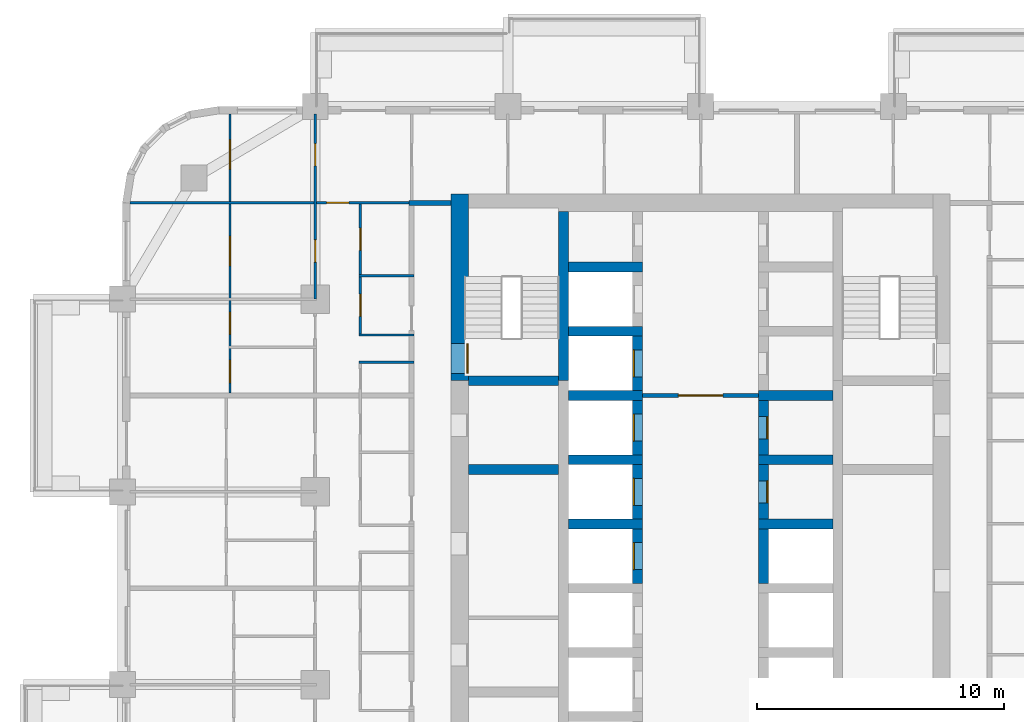
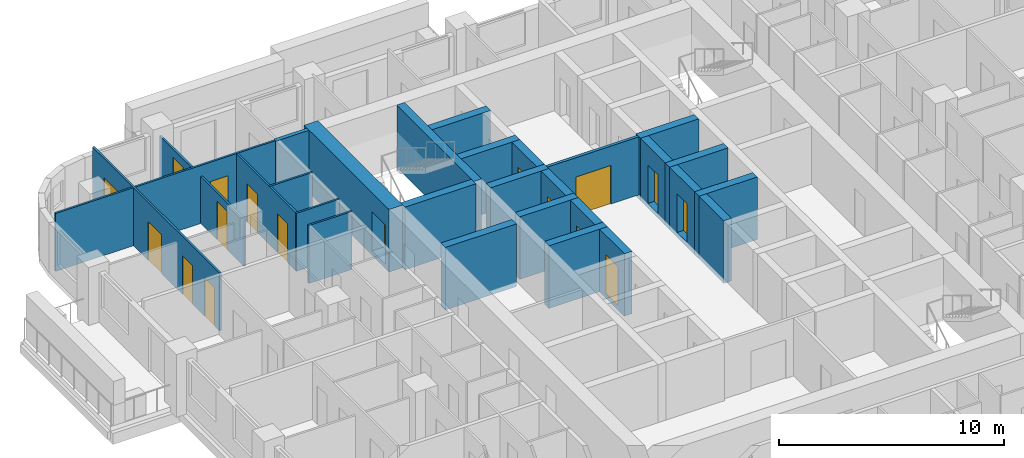
# One storey, part 10 of 17: 28 walls, 17 doors, 17 openings.
"""IFC4 building model written with IfcOpenShell, lengths in metres."""

from ifc_helpers import new_model, si_unit, direction, frame, frame_2d, origin, place, context, subcontext, project, spatial, rectangle, extrude, material, layer, layer_set, type_object, element, fill, save


model = new_model("IFC4")

# Units and contexts
model_context = context("Model", 3, precision=1e-05, world=origin(), true_north=direction((0.0, 1.0)))
body_context = subcontext(model_context, "Body", "Model", "MODEL_VIEW")
ifc_project = project(units=[si_unit("LENGTHUNIT", "METRE"), si_unit("AREAUNIT", "SQUARE_METRE"), si_unit("VOLUMEUNIT", "CUBIC_METRE"), si_unit("PLANEANGLEUNIT", "RADIAN"), si_unit("MASSUNIT", "GRAM", prefix="KILO")], contexts=[model_context])

# Site, building, storey
site_placement = place(None, origin())
site = spatial("IfcSite", under=ifc_project, at=site_placement, CompositionType="ELEMENT")
building_placement = place(site_placement, origin())
building = spatial("IfcBuilding", under=site, at=building_placement, Name="Ludao Terraces", CompositionType="ELEMENT")
storey_placement = place(building_placement, frame((0.0, 0.0, 19.5)))
storey = spatial("IfcBuildingStorey", under=building, at=storey_placement, Name="L04", CompositionType="ELEMENT", Elevation=19.5)

# Wall, opening, door
ifc_material_1 = material(Name="Concrete C70", Category="concrete")
ifc_layer_1 = layer(ifc_material_1, 0.699951171875)
ifc_layer_set_1 = layer_set([ifc_layer_1], Name="Core wall 700 C70")
wall_type_1 = type_object("IfcWallType", Name="Core wall 700 C70", PredefinedType="SOLIDWALL", material=ifc_layer_set_1)
wall_1_placement = place(storey_placement, frame((75.25, 77.300048828125, -0.25), z_axis=(0.0, 0.0, 1.0), x_axis=(0.0, 1.0, 0.0)))
wall_1 = element("IfcWall", 1, at=wall_1_placement, inside=storey, type_object=wall_type_1, Name="Core wall L04 outer-W-S1", PredefinedType="SOLIDWALL", context=body_context, shape_type="SweptSolid", body=[
    extrude(rectangle(XDim=7.550048828125, YDim=0.699951171875, at=frame_2d((3.77490234375, 0.0))), origin(), (0.0, 0.0, 1.0), 3.39990234375),
])
opening_1_placement = place(wall_1_placement, frame((0.300048828125, 0.0, 0.25)))
opening_1 = element("IfcOpeningElement", 2, at=opening_1_placement, cuts=wall_1, Name="Opening R01-127", PredefinedType="OPENING", context=body_context, shape_type="SweptSolid", body=[
    extrude(rectangle(XDim=1.199951171875, YDim=2.10009765625, at=frame_2d((0.60009765625, 1.050048828125))), frame((0.0, 0.35986328125, 0.0), z_axis=(0.0, -1.0, 0.0), x_axis=(1.0, 0.0, 0.0)), (0.0, 0.0, 1.0), 0.719970703125),
])
ifc_material_2 = material(Name="Steel Q235", Category="steel")
door_type_1 = type_object("IfcDoorType", Name="INT Stair door 1200", OperationType="DOUBLE_DOOR_SINGLE_SWING", PredefinedType="DOOR", material=ifc_material_2)
door_1_placement = place(opening_1_placement, origin())
door_1 = element("IfcDoor", 3, at=door_1_placement, inside=storey, type_object=door_type_1, Name="DOOR 127", OperationType="DOUBLE_DOOR_SINGLE_SWING", OverallHeight=2.10009765625, OverallWidth=1.199951171875, PredefinedType="DOOR", context=body_context, shape_type="SweptSolid", body=[
    extrude(rectangle(XDim=1.199951171875, YDim=2.10009765625, at=frame_2d((0.60009765625, 1.050048828125))), frame((0.0, -0.28515625, 0.0), z_axis=(0.0, -1.0, 0.0), x_axis=(1.0, 0.0, 0.0)), (0.0, 0.0, 1.0), 0.050048828125),
])
fill(opening_1, door_1)

ifc_material_3 = material(Name="Fire-rated gypsum plasterboard", Category="gypsum")
ifc_layer_2 = layer(ifc_material_3, 0.012451171875, Category="gypsum")
ifc_material_4 = material(Name="Mineral wool")
ifc_layer_3 = layer(ifc_material_4, 0.10009765625, Name="insulation")
ifc_layer_4 = layer(ifc_material_2, 0.02490234375, Name="stud")
ifc_layer_5 = layer(ifc_material_3, 0.012451171875, Category="gypsum")
ifc_layer_set_2 = layer_set([ifc_layer_2, ifc_layer_3, ifc_layer_4, ifc_layer_5], Name="INT Core partition 150")
wall_type_2 = type_object("IfcWallType", Name="INT Core partition 150", PredefinedType="PARTITIONING", material=ifc_layer_set_2)
wall_2_placement = place(storey_placement, frame((82.650146484375, 76.699951171875, 0.0), z_axis=(0.0, 0.0, 1.0), x_axis=(1.0, 0.0, 0.0)))
wall_2 = element("IfcWall", 4, at=wall_2_placement, inside=storey, type_object=wall_type_2, Name="PW-L04-PW058", PredefinedType="PARTITIONING", context=body_context, shape_type="SweptSolid", body=[
    extrude(rectangle(XDim=4.699951171875, YDim=0.14990234375, at=frame_2d((2.35009765625, 0.0))), origin(), (0.0, 0.0, 1.0), 3.14990234375),
])
opening_2_placement = place(wall_2_placement, frame((1.449951171875, 0.0, 0.0)))
opening_2 = element("IfcOpeningElement", 5, at=opening_2_placement, cuts=wall_2, Name="Opening R01-121", PredefinedType="OPENING", context=body_context, shape_type="SweptSolid", body=[
    extrude(rectangle(XDim=1.800048828125, YDim=2.10009765625, at=frame_2d((0.89990234375, 1.050048828125))), frame((0.0, 0.0849609375, 0.0), z_axis=(0.0, -1.0, 0.0), x_axis=(1.0, 0.0, 0.0)), (0.0, 0.0, 1.0), 0.169921875),
])
door_type_2 = type_object("IfcDoorType", Name="INT Fire lobby door 1800", OperationType="DOUBLE_DOOR_SINGLE_SWING", PredefinedType="DOOR", material=ifc_material_2)
door_2_placement = place(opening_2_placement, origin())
door_2 = element("IfcDoor", 6, at=door_2_placement, inside=storey, type_object=door_type_2, Name="DOOR 121", OperationType="DOUBLE_DOOR_SINGLE_SWING", OverallHeight=2.10009765625, OverallWidth=1.800048828125, PredefinedType="DOOR", context=body_context, shape_type="SweptSolid", body=[
    extrude(rectangle(XDim=1.800048828125, YDim=2.10009765625, at=frame_2d((0.89990234375, 1.050048828125))), frame((0.0, 0.02490234375, 0.0), z_axis=(0.0, -1.0, 0.0), x_axis=(1.0, 0.0, 0.0)), (0.0, 0.0, 1.0), 0.050048828125),
])
fill(opening_2, door_2)

# Walls
ifc_material_5 = material(Name="Autoclaved aerated concrete block B06 A3.5", Category="concrete")
ifc_layer_6 = layer(ifc_material_5, 0.199951171875)
ifc_layer_set_3 = layer_set([ifc_layer_6], Name="INT Entrance wall 200")
wall_type_3 = type_object("IfcWallType", Name="INT Entrance wall 200", PredefinedType="PARTITIONING", material=ifc_layer_set_3)
wall_3_placement = place(storey_placement, frame((73.2001953125, 84.5, 0.0), z_axis=(0.0, 0.0, 1.0), x_axis=(1.0, 0.0, 0.0)))
element("IfcWall", 7, at=wall_3_placement, inside=storey, type_object=wall_type_3, Name="PW-L04-PW070", PredefinedType="PARTITIONING", context=body_context, shape_type="SweptSolid", body=[
    extrude(rectangle(XDim=1.699951171875, YDim=0.199951171875, at=frame_2d((0.85009765625, 0.0))), origin(), (0.0, 0.0, 1.0), 3.14990234375),
])
ifc_material_6 = material(Name="Gypsum plasterboard", Category="gypsum")
ifc_layer_7 = layer(ifc_material_6, 0.012451171875, Category="gypsum")
ifc_layer_8 = layer(ifc_material_4, 0.06005859375, Name="insulation")
ifc_layer_9 = layer(ifc_material_2, 0.014892578125, Name="stud")
ifc_layer_10 = layer(ifc_material_6, 0.012451171875, Category="gypsum")
ifc_layer_set_4 = layer_set([ifc_layer_7, ifc_layer_8, ifc_layer_9, ifc_layer_10], Name="INT Partition 100")
wall_type_4 = type_object("IfcWallType", Name="INT Partition 100", PredefinedType="PARTITIONING", material=ifc_layer_set_4)
for number, where, z_axis, x_axis, name in (
    (8, (71.18017578125, 78.050048828125, 0.0), (0.0, 0.0, 1.0), (1.0, 0.0, 0.0), "PW-L04-PW060"),
    (9, (71.18017578125, 79.14990234375, 0.0), (0.0, 0.0, 1.0), (1.0, 0.0, 0.0), "PW-L04-PW063"),
    (10, (71.18017578125, 81.550048828125, 0.0), (0.0, 0.0, 1.0), (1.0, 0.0, 0.0), "PW-L04-PW067"),
):
    element("IfcWall", number, at=place(storey_placement, frame(where, z_axis=z_axis, x_axis=x_axis)), inside=storey, type_object=wall_type_4, Name=name, PredefinedType="PARTITIONING", context=body_context, shape_type="SweptSolid", body=[
        extrude(rectangle(XDim=2.219970703125, YDim=0.10009765625, at=frame_2d((1.10986328125, 0.0))), origin(), (0.0, 0.0, 1.0), 3.14990234375),
    ])

# Wall, opening, door
wall_4_placement = place(storey_placement, frame((61.900146484375, 84.5, 0.0), z_axis=(0.0, 0.0, 1.0), x_axis=(1.0, 0.0, 0.0)))
wall_4 = element("IfcWall", 11, at=wall_4_placement, inside=storey, type_object=wall_type_4, Name="PW-L04-PW069", PredefinedType="PARTITIONING", context=body_context, shape_type="SweptSolid", body=[
    extrude(rectangle(XDim=11.5, YDim=0.10009765625, at=frame_2d((5.75, 0.0))), origin(), (0.0, 0.0, 1.0), 3.14990234375),
])
opening_3_placement = place(wall_4_placement, frame((7.965087890625, 0.0, 0.0)))
opening_3 = element("IfcOpeningElement", 12, at=opening_3_placement, cuts=wall_4, Name="Opening R01-147", PredefinedType="OPENING", context=body_context, shape_type="SweptSolid", body=[
    extrude(rectangle(XDim=0.89990234375, YDim=2.10009765625, at=frame_2d((0.449951171875, 1.050048828125))), frame((0.0, 0.06005859375, 0.0), z_axis=(0.0, -1.0, 0.0), x_axis=(1.0, 0.0, 0.0)), (0.0, 0.0, 1.0), 0.1201171875),
])
ifc_material_7 = material(Name="Timber door leaf", Category="wood")
door_type_3 = type_object("IfcDoorType", Name="INT Room door 900", OperationType="SINGLE_SWING_LEFT", PredefinedType="DOOR", material=ifc_material_7)
door_3_placement = place(opening_3_placement, origin())
door_3 = element("IfcDoor", 13, at=door_3_placement, inside=storey, type_object=door_type_3, Name="DOOR 147", OperationType="SINGLE_SWING_RIGHT", OverallHeight=2.10009765625, OverallWidth=0.89990234375, PredefinedType="DOOR", context=body_context, shape_type="SweptSolid", body=[
    extrude(rectangle(XDim=0.89990234375, YDim=2.10009765625, at=frame_2d((0.449951171875, 1.050048828125))), frame((0.0, 0.02490234375, 0.0), z_axis=(0.0, -1.0, 0.0), x_axis=(1.0, 0.0, 0.0)), (0.0, 0.0, 1.0), 0.050048828125),
])
fill(opening_3, door_3)

# Wall, openings, doors
wall_5_placement = place(storey_placement, frame((65.949951171875, 76.800048828125, 0.0), z_axis=(0.0, 0.0, 1.0), x_axis=(0.0, 1.0, 0.0)))
wall_5 = element("IfcWall", 14, at=wall_5_placement, inside=storey, type_object=wall_type_4, Name="PW-L04-PW075", PredefinedType="PARTITIONING", context=body_context, shape_type="SweptSolid", body=[
    extrude(rectangle(XDim=11.300048828125, YDim=0.10009765625, at=frame_2d((5.64990234375, 0.0))), origin(), (0.0, 0.0, 1.0), 3.14990234375),
])
opening_4_placement = place(wall_5_placement, frame((0.425048828125, 0.0, 0.0)))
opening_4 = element("IfcOpeningElement", 15, at=opening_4_placement, cuts=wall_5, Name="Opening R01-123", PredefinedType="OPENING", context=body_context, shape_type="SweptSolid", body=[
    extrude(rectangle(XDim=0.89990234375, YDim=2.10009765625, at=frame_2d((0.449951171875, 1.050048828125))), frame((0.0, 0.06005859375, 0.0), z_axis=(0.0, -1.0, 0.0), x_axis=(1.0, 0.0, 0.0)), (0.0, 0.0, 1.0), 0.1201171875),
])
opening_5_placement = place(wall_5_placement, frame((2.375, 0.0, 0.0)))
opening_5 = element("IfcOpeningElement", 16, at=opening_5_placement, cuts=wall_5, Name="Opening R01-132", PredefinedType="OPENING", context=body_context, shape_type="SweptSolid", body=[
    extrude(rectangle(XDim=0.89990234375, YDim=2.10009765625, at=frame_2d((0.449951171875, 1.050048828125))), frame((0.0, 0.06005859375, 0.0), z_axis=(0.0, -1.0, 0.0), x_axis=(1.0, 0.0, 0.0)), (0.0, 0.0, 1.0), 0.1201171875),
])
opening_6_placement = place(wall_5_placement, frame((5.14990234375, 0.0, 0.0)))
opening_6 = element("IfcOpeningElement", 17, at=opening_6_placement, cuts=wall_5, Name="Opening R01-138", PredefinedType="OPENING", context=body_context, shape_type="SweptSolid", body=[
    extrude(rectangle(XDim=1.199951171875, YDim=2.10009765625, at=frame_2d((0.60009765625, 1.050048828125))), frame((0.0, 0.06005859375, 0.0), z_axis=(0.0, -1.0, 0.0), x_axis=(1.0, 0.0, 0.0)), (0.0, 0.0, 1.0), 0.1201171875),
])
opening_7_placement = place(wall_5_placement, frame((9.050048828125, 0.0, 0.0)))
opening_7 = element("IfcOpeningElement", 18, at=opening_7_placement, cuts=wall_5, Name="Opening R01-149", PredefinedType="OPENING", context=body_context, shape_type="SweptSolid", body=[
    extrude(rectangle(XDim=1.199951171875, YDim=2.10009765625, at=frame_2d((0.60009765625, 1.050048828125))), frame((0.0, 0.06005859375, 0.0), z_axis=(0.0, -1.0, 0.0), x_axis=(1.0, 0.0, 0.0)), (0.0, 0.0, 1.0), 0.1201171875),
])
door_type_4 = type_object("IfcDoorType", Name="INT Bathroom door 900", OperationType="SINGLE_SWING_LEFT", PredefinedType="DOOR", material=ifc_material_7)
door_4_placement = place(opening_4_placement, origin())
door_4 = element("IfcDoor", 19, at=door_4_placement, inside=storey, type_object=door_type_4, Name="DOOR 123", OperationType="SINGLE_SWING_RIGHT", OverallHeight=2.10009765625, OverallWidth=0.89990234375, PredefinedType="DOOR", context=body_context, shape_type="SweptSolid", body=[
    extrude(rectangle(XDim=0.89990234375, YDim=2.10009765625, at=frame_2d((0.449951171875, 1.050048828125))), frame((0.0, 0.02490234375, 0.0), z_axis=(0.0, -1.0, 0.0), x_axis=(1.0, 0.0, 0.0)), (0.0, 0.0, 1.0), 0.050048828125),
])
fill(opening_4, door_4)
door_type_5 = type_object("IfcDoorType", Name="INT Double door 1200", OperationType="DOUBLE_DOOR_SINGLE_SWING", PredefinedType="DOOR", material=ifc_material_7)
door_5_placement = place(opening_6_placement, origin())
door_5 = element("IfcDoor", 20, at=door_5_placement, inside=storey, type_object=door_type_5, Name="DOOR 138", OperationType="DOUBLE_DOOR_SINGLE_SWING", OverallHeight=2.10009765625, OverallWidth=1.199951171875, PredefinedType="DOOR", context=body_context, shape_type="SweptSolid", body=[
    extrude(rectangle(XDim=1.199951171875, YDim=2.10009765625, at=frame_2d((0.60009765625, 1.050048828125))), frame((0.0, 0.02490234375, 0.0), z_axis=(0.0, -1.0, 0.0), x_axis=(1.0, 0.0, 0.0)), (0.0, 0.0, 1.0), 0.050048828125),
])
fill(opening_6, door_5)
door_6_placement = place(opening_7_placement, origin())
door_6 = element("IfcDoor", 21, at=door_6_placement, inside=storey, type_object=door_type_5, Name="DOOR 149", OperationType="DOUBLE_DOOR_SINGLE_SWING", OverallHeight=2.10009765625, OverallWidth=1.199951171875, PredefinedType="DOOR", context=body_context, shape_type="SweptSolid", body=[
    extrude(rectangle(XDim=1.199951171875, YDim=2.10009765625, at=frame_2d((0.60009765625, 1.050048828125))), frame((0.0, 0.02490234375, 0.0), z_axis=(0.0, -1.0, 0.0), x_axis=(1.0, 0.0, 0.0)), (0.0, 0.0, 1.0), 0.050048828125),
])
fill(opening_7, door_6)
door_7_placement = place(opening_5_placement, origin())
door_7 = element("IfcDoor", 22, at=door_7_placement, inside=storey, type_object=door_type_3, Name="DOOR 132", OperationType="SINGLE_SWING_RIGHT", OverallHeight=2.10009765625, OverallWidth=0.89990234375, PredefinedType="DOOR", context=body_context, shape_type="SweptSolid", body=[
    extrude(rectangle(XDim=0.89990234375, YDim=2.10009765625, at=frame_2d((0.449951171875, 1.050048828125))), frame((0.0, 0.02490234375, 0.0), z_axis=(0.0, -1.0, 0.0), x_axis=(1.0, 0.0, 0.0)), (0.0, 0.0, 1.0), 0.050048828125),
])
fill(opening_5, door_7)

wall_6_placement = place(storey_placement, frame((69.39990234375, 80.60009765625, 0.0), z_axis=(0.0, 0.0, 1.0), x_axis=(0.0, 1.0, 0.0)))
wall_6 = element("IfcWall", 23, at=wall_6_placement, inside=storey, type_object=wall_type_4, Name="PW-L04-PW077-3", PredefinedType="PARTITIONING", context=body_context, shape_type="SweptSolid", body=[
    extrude(rectangle(XDim=7.5, YDim=0.10009765625, at=frame_2d((3.75, 0.0))), origin(), (0.0, 0.0, 1.0), 2.550048828125),
])
opening_8_placement = place(wall_6_placement, frame((1.5, 0.0, 0.0)))
opening_8 = element("IfcOpeningElement", 24, at=opening_8_placement, cuts=wall_6, Name="Opening R01-139", PredefinedType="OPENING", context=body_context, shape_type="SweptSolid", body=[
    extrude(rectangle(XDim=0.89990234375, YDim=2.10009765625, at=frame_2d((0.449951171875, 1.050048828125))), frame((0.0, 0.06005859375, 0.0), z_axis=(0.0, -1.0, 0.0), x_axis=(1.0, 0.0, 0.0)), (0.0, 0.0, 1.0), 0.1201171875),
])
opening_9_placement = place(wall_6_placement, frame((5.39990234375, 0.0, 0.0)))
opening_9 = element("IfcOpeningElement", 25, at=opening_9_placement, cuts=wall_6, Name="Opening R01-150", PredefinedType="OPENING", context=body_context, shape_type="SweptSolid", body=[
    extrude(rectangle(XDim=0.89990234375, YDim=2.10009765625, at=frame_2d((0.449951171875, 1.050048828125))), frame((0.0, 0.06005859375, 0.0), z_axis=(0.0, -1.0, 0.0), x_axis=(1.0, 0.0, 0.0)), (0.0, 0.0, 1.0), 0.1201171875),
])
door_8_placement = place(opening_8_placement, origin())
door_8 = element("IfcDoor", 26, at=door_8_placement, inside=storey, type_object=door_type_3, Name="DOOR 139", OperationType="SINGLE_SWING_LEFT", OverallHeight=2.10009765625, OverallWidth=0.89990234375, PredefinedType="DOOR", context=body_context, shape_type="SweptSolid", body=[
    extrude(rectangle(XDim=0.89990234375, YDim=2.10009765625, at=frame_2d((0.449951171875, 1.050048828125))), frame((0.0, 0.02490234375, 0.0), z_axis=(0.0, -1.0, 0.0), x_axis=(1.0, 0.0, 0.0)), (0.0, 0.0, 1.0), 0.050048828125),
])
fill(opening_8, door_8)
door_9_placement = place(opening_9_placement, origin())
door_9 = element("IfcDoor", 27, at=door_9_placement, inside=storey, type_object=door_type_3, Name="DOOR 150", OperationType="SINGLE_SWING_RIGHT", OverallHeight=2.10009765625, OverallWidth=0.89990234375, PredefinedType="DOOR", context=body_context, shape_type="SweptSolid", body=[
    extrude(rectangle(XDim=0.89990234375, YDim=2.10009765625, at=frame_2d((0.449951171875, 1.050048828125))), frame((0.0, 0.02490234375, 0.0), z_axis=(0.0, -1.0, 0.0), x_axis=(1.0, 0.0, 0.0)), (0.0, 0.0, 1.0), 0.050048828125),
])
fill(opening_9, door_9)

wall_7_placement = place(storey_placement, frame((71.22998046875, 79.2001953125, 0.0), z_axis=(0.0, 0.0, 1.0), x_axis=(0.0, 1.0, 0.0)))
wall_7 = element("IfcWall", 28, at=wall_7_placement, inside=storey, type_object=wall_type_4, Name="PW-L04-PW082", PredefinedType="PARTITIONING", context=body_context, shape_type="SweptSolid", body=[
    extrude(rectangle(XDim=5.25, YDim=0.10009765625, at=frame_2d((2.625, 0.0))), origin(), (0.0, 0.0, 1.0), 3.14990234375),
])
opening_10_placement = place(wall_7_placement, frame((0.699951171875, 0.0, 0.0)))
opening_10 = element("IfcOpeningElement", 29, at=opening_10_placement, cuts=wall_7, Name="Opening R01-135", PredefinedType="OPENING", context=body_context, shape_type="SweptSolid", body=[
    extrude(rectangle(XDim=0.89990234375, YDim=2.10009765625, at=frame_2d((0.449951171875, 1.050048828125))), frame((0.0, 0.06005859375, 0.0), z_axis=(0.0, -1.0, 0.0), x_axis=(1.0, 0.0, 0.0)), (0.0, 0.0, 1.0), 0.1201171875),
])
opening_11_placement = place(wall_7_placement, frame((3.375, 0.0, 0.0)))
opening_11 = element("IfcOpeningElement", 30, at=opening_11_placement, cuts=wall_7, Name="Opening R01-143", PredefinedType="OPENING", context=body_context, shape_type="SweptSolid", body=[
    extrude(rectangle(XDim=0.89990234375, YDim=2.10009765625, at=frame_2d((0.449951171875, 1.050048828125))), frame((0.0, 0.06005859375, 0.0), z_axis=(0.0, -1.0, 0.0), x_axis=(1.0, 0.0, 0.0)), (0.0, 0.0, 1.0), 0.1201171875),
])
door_10_placement = place(opening_10_placement, origin())
door_10 = element("IfcDoor", 31, at=door_10_placement, inside=storey, type_object=door_type_4, Name="DOOR 135", OperationType="SINGLE_SWING_RIGHT", OverallHeight=2.10009765625, OverallWidth=0.89990234375, PredefinedType="DOOR", context=body_context, shape_type="SweptSolid", body=[
    extrude(rectangle(XDim=0.89990234375, YDim=2.10009765625, at=frame_2d((0.449951171875, 1.050048828125))), frame((0.0, 0.02490234375, 0.0), z_axis=(0.0, -1.0, 0.0), x_axis=(1.0, 0.0, 0.0)), (0.0, 0.0, 1.0), 0.050048828125),
])
fill(opening_10, door_10)
door_11_placement = place(opening_11_placement, origin())
door_11 = element("IfcDoor", 32, at=door_11_placement, inside=storey, type_object=door_type_3, Name="DOOR 143", OperationType="SINGLE_SWING_RIGHT", OverallHeight=2.10009765625, OverallWidth=0.89990234375, PredefinedType="DOOR", context=body_context, shape_type="SweptSolid", body=[
    extrude(rectangle(XDim=0.89990234375, YDim=2.10009765625, at=frame_2d((0.449951171875, 1.050048828125))), frame((0.0, 0.02490234375, 0.0), z_axis=(0.0, -1.0, 0.0), x_axis=(1.0, 0.0, 0.0)), (0.0, 0.0, 1.0), 0.050048828125),
])
fill(opening_11, door_11)

# Wall
ifc_material_8 = material(Name="Concrete C60", Category="concrete")
ifc_layer_11 = layer(ifc_material_8, 0.39990234375)
ifc_layer_set_5 = layer_set([ifc_layer_11], Name="Shaft wall 400 C60")
wall_type_5 = type_object("IfcWallType", Name="Shaft wall 400 C60", PredefinedType="SOLIDWALL", material=ifc_layer_set_5)
wall_8_placement = place(storey_placement, frame((79.449951171875, 77.300048828125, -0.25), z_axis=(0.0, 0.0, 1.0), x_axis=(0.0, 1.0, 0.0)))
element("IfcWall", 33, at=wall_8_placement, inside=storey, type_object=wall_type_5, Name="Core wall L04 back-W-S1", PredefinedType="SOLIDWALL", context=body_context, shape_type="SweptSolid", body=[
    extrude(rectangle(XDim=6.849853515625, YDim=0.39990234375, at=frame_2d((3.4248046875, 0.0))), origin(), (0.0, 0.0, 1.0), 3.39990234375),
])

# Wall, opening, door
wall_9_placement = place(storey_placement, frame((82.449951171875, 69.10009765625, -0.25), z_axis=(0.0, 0.0, 1.0), x_axis=(0.0, 1.0, 0.0)))
wall_9 = element("IfcWall", 34, at=wall_9_placement, inside=storey, type_object=wall_type_5, Name="Core wall L04 front-W4", PredefinedType="SOLIDWALL", context=body_context, shape_type="SweptSolid", body=[
    extrude(rectangle(XDim=2.199951171875, YDim=0.39990234375, at=frame_2d((1.10009765625, 0.0))), origin(), (0.0, 0.0, 1.0), 3.39990234375),
])
opening_12_placement = place(wall_9_placement, frame((0.550048828125, 0.0, 0.25)))
opening_12 = element("IfcOpeningElement", 35, at=opening_12_placement, cuts=wall_9, Name="Opening LD-LA4", PredefinedType="OPENING", context=body_context, shape_type="SweptSolid", body=[
    extrude(rectangle(XDim=1.10009765625, YDim=2.10009765625, at=frame_2d((0.550048828125, 1.050048828125))), frame((0.0, 0.2099609375, 0.0), z_axis=(0.0, -1.0, 0.0), x_axis=(1.0, 0.0, 0.0)), (0.0, 0.0, 1.0), 0.419921875),
])
ifc_material_9 = material(Name="Stainless steel 304", Category="steel")
door_type_6 = type_object("IfcDoorType", Name="INT Lift landing door 1100", OperationType="SLIDING_TO_LEFT", PredefinedType="DOOR", material=ifc_material_9)
door_12_placement = place(opening_12_placement, origin())
door_12 = element("IfcDoor", 36, at=door_12_placement, inside=storey, type_object=door_type_6, Name="LANDING DOOR LA4 L04", OperationType="SLIDING_TO_LEFT", OverallHeight=2.10009765625, OverallWidth=1.10009765625, PredefinedType="DOOR", context=body_context, shape_type="SweptSolid", body=[
    extrude(rectangle(XDim=1.10009765625, YDim=2.10009765625, at=frame_2d((0.550048828125, 1.050048828125))), frame((0.0, 0.18505859375, 0.0), z_axis=(0.0, -1.0, 0.0), x_axis=(1.0, 0.0, 0.0)), (0.0, 0.0, 1.0), 0.050048828125),
])
fill(opening_12, door_12)

# Wall
wall_10_placement = place(storey_placement, frame((79.64990234375, 71.5, -0.25), z_axis=(0.0, 0.0, 1.0), x_axis=(1.0, 0.0, 0.0)))
element("IfcWall", 37, at=wall_10_placement, inside=storey, type_object=wall_type_5, Name="Core wall L04 div-W5", PredefinedType="SOLIDWALL", context=body_context, shape_type="SweptSolid", body=[
    extrude(rectangle(XDim=3.0, YDim=0.39990234375, at=frame_2d((1.5, 0.0))), origin(), (0.0, 0.0, 1.0), 3.39990234375),
])

# Wall, opening, door
wall_11_placement = place(storey_placement, frame((82.449951171875, 71.699951171875, -0.25), z_axis=(0.0, 0.0, 1.0), x_axis=(0.0, 1.0, 0.0)))
wall_11 = element("IfcWall", 38, at=wall_11_placement, inside=storey, type_object=wall_type_5, Name="Core wall L04 front-W5", PredefinedType="SOLIDWALL", context=body_context, shape_type="SweptSolid", body=[
    extrude(rectangle(XDim=2.199951171875, YDim=0.39990234375, at=frame_2d((1.10009765625, 0.0))), origin(), (0.0, 0.0, 1.0), 3.39990234375),
])
opening_13_placement = place(wall_11_placement, frame((0.550048828125, 0.0, 0.25)))
opening_13 = element("IfcOpeningElement", 39, at=opening_13_placement, cuts=wall_11, Name="Opening LD-LA5", PredefinedType="OPENING", context=body_context, shape_type="SweptSolid", body=[
    extrude(rectangle(XDim=1.10009765625, YDim=2.10009765625, at=frame_2d((0.550048828125, 1.050048828125))), frame((0.0, 0.2099609375, 0.0), z_axis=(0.0, -1.0, 0.0), x_axis=(1.0, 0.0, 0.0)), (0.0, 0.0, 1.0), 0.419921875),
])
door_13_placement = place(opening_13_placement, origin())
door_13 = element("IfcDoor", 40, at=door_13_placement, inside=storey, type_object=door_type_6, Name="LANDING DOOR LA5 L04", OperationType="SLIDING_TO_LEFT", OverallHeight=2.10009765625, OverallWidth=1.10009765625, PredefinedType="DOOR", context=body_context, shape_type="SweptSolid", body=[
    extrude(rectangle(XDim=1.10009765625, YDim=2.10009765625, at=frame_2d((0.550048828125, 1.050048828125))), frame((0.0, 0.18505859375, 0.0), z_axis=(0.0, -1.0, 0.0), x_axis=(1.0, 0.0, 0.0)), (0.0, 0.0, 1.0), 0.050048828125),
])
fill(opening_13, door_13)

# Wall
wall_12_placement = place(storey_placement, frame((79.64990234375, 74.10009765625, -0.25), z_axis=(0.0, 0.0, 1.0), x_axis=(1.0, 0.0, 0.0)))
element("IfcWall", 41, at=wall_12_placement, inside=storey, type_object=wall_type_5, Name="Core wall L04 div-W6", PredefinedType="SOLIDWALL", context=body_context, shape_type="SweptSolid", body=[
    extrude(rectangle(XDim=3.0, YDim=0.39990234375, at=frame_2d((1.5, 0.0))), origin(), (0.0, 0.0, 1.0), 3.39990234375),
])

# Wall, opening, door
wall_13_placement = place(storey_placement, frame((82.449951171875, 74.300048828125, -0.25), z_axis=(0.0, 0.0, 1.0), x_axis=(0.0, 1.0, 0.0)))
wall_13 = element("IfcWall", 42, at=wall_13_placement, inside=storey, type_object=wall_type_5, Name="Core wall L04 front-W6", PredefinedType="SOLIDWALL", context=body_context, shape_type="SweptSolid", body=[
    extrude(rectangle(XDim=2.199951171875, YDim=0.39990234375, at=frame_2d((1.10009765625, 0.0))), origin(), (0.0, 0.0, 1.0), 3.39990234375),
])
opening_14_placement = place(wall_13_placement, frame((0.550048828125, 0.0, 0.25)))
opening_14 = element("IfcOpeningElement", 43, at=opening_14_placement, cuts=wall_13, Name="Opening LD-LA6", PredefinedType="OPENING", context=body_context, shape_type="SweptSolid", body=[
    extrude(rectangle(XDim=1.10009765625, YDim=2.10009765625, at=frame_2d((0.550048828125, 1.050048828125))), frame((0.0, 0.2099609375, 0.0), z_axis=(0.0, -1.0, 0.0), x_axis=(1.0, 0.0, 0.0)), (0.0, 0.0, 1.0), 0.419921875),
])
door_14_placement = place(opening_14_placement, origin())
door_14 = element("IfcDoor", 44, at=door_14_placement, inside=storey, type_object=door_type_6, Name="LANDING DOOR LA6 L04", OperationType="SLIDING_TO_LEFT", OverallHeight=2.10009765625, OverallWidth=1.10009765625, PredefinedType="DOOR", context=body_context, shape_type="SweptSolid", body=[
    extrude(rectangle(XDim=1.10009765625, YDim=2.10009765625, at=frame_2d((0.550048828125, 1.050048828125))), frame((0.0, 0.18505859375, 0.0), z_axis=(0.0, -1.0, 0.0), x_axis=(1.0, 0.0, 0.0)), (0.0, 0.0, 1.0), 0.050048828125),
])
fill(opening_14, door_14)

# Wall
wall_14_placement = place(storey_placement, frame((79.64990234375, 76.699951171875, -0.25), z_axis=(0.0, 0.0, 1.0), x_axis=(1.0, 0.0, 0.0)))
element("IfcWall", 45, at=wall_14_placement, inside=storey, type_object=wall_type_5, Name="Core wall L04 div-W7", PredefinedType="SOLIDWALL", context=body_context, shape_type="SweptSolid", body=[
    extrude(rectangle(XDim=3.0, YDim=0.39990234375, at=frame_2d((1.5, 0.0))), origin(), (0.0, 0.0, 1.0), 3.39990234375),
])

# Wall, opening, door
wall_15_placement = place(storey_placement, frame((82.449951171875, 76.89990234375, -0.25), z_axis=(0.0, 0.0, 1.0), x_axis=(0.0, 1.0, 0.0)))
wall_15 = element("IfcWall", 46, at=wall_15_placement, inside=storey, type_object=wall_type_5, Name="Core wall L04 front-W7", PredefinedType="SOLIDWALL", context=body_context, shape_type="SweptSolid", body=[
    extrude(rectangle(XDim=2.2001953125, YDim=0.39990234375, at=frame_2d((1.10009765625, 0.0))), origin(), (0.0, 0.0, 1.0), 3.39990234375),
])
opening_15_placement = place(wall_15_placement, frame((0.550048828125, 0.0, 0.25)))
opening_15 = element("IfcOpeningElement", 47, at=opening_15_placement, cuts=wall_15, Name="Opening LD-FF1", PredefinedType="OPENING", context=body_context, shape_type="SweptSolid", body=[
    extrude(rectangle(XDim=1.10009765625, YDim=2.10009765625, at=frame_2d((0.550048828125, 1.050048828125))), frame((0.0, 0.2099609375, 0.0), z_axis=(0.0, -1.0, 0.0), x_axis=(1.0, 0.0, 0.0)), (0.0, 0.0, 1.0), 0.419921875),
])
door_15_placement = place(opening_15_placement, origin())
door_15 = element("IfcDoor", 48, at=door_15_placement, inside=storey, type_object=door_type_6, Name="LANDING DOOR FF1 L04", OperationType="SLIDING_TO_LEFT", OverallHeight=2.10009765625, OverallWidth=1.10009765625, PredefinedType="DOOR", context=body_context, shape_type="SweptSolid", body=[
    extrude(rectangle(XDim=1.10009765625, YDim=2.10009765625, at=frame_2d((0.550048828125, 1.050048828125))), frame((0.0, 0.18505859375, 0.0), z_axis=(0.0, -1.0, 0.0), x_axis=(1.0, 0.0, 0.0)), (0.0, 0.0, 1.0), 0.050048828125),
])
fill(opening_15, door_15)

# Walls
for number, where, z_axis, x_axis, name in (
    (49, (79.64990234375, 79.300048828125, -0.25), (0.0, 0.0, 1.0), (1.0, 0.0, 0.0), "Core wall L04 div-W8"),
    (50, (79.64990234375, 81.89990234375, -0.25), (0.0, 0.0, 1.0), (1.0, 0.0, 0.0), "Core wall L04 div-W9"),
):
    element("IfcWall", number, at=place(storey_placement, frame(where, z_axis=z_axis, x_axis=x_axis)), inside=storey, type_object=wall_type_5, Name=name, PredefinedType="SOLIDWALL", context=body_context, shape_type="SweptSolid", body=[
        extrude(rectangle(XDim=3.0, YDim=0.39990234375, at=frame_2d((1.5, 0.0))), origin(), (0.0, 0.0, 1.0), 3.39990234375),
    ])
wall_16_placement = place(storey_placement, frame((87.550048828125, 69.10009765625, -0.25), z_axis=(0.0, 0.0, 1.0), x_axis=(0.0, 1.0, 0.0)))
element("IfcWall", 51, at=wall_16_placement, inside=storey, type_object=wall_type_5, Name="Core wall L04 front-E4", PredefinedType="SOLIDWALL", context=body_context, shape_type="SweptSolid", body=[
    extrude(rectangle(XDim=2.199951171875, YDim=0.39990234375, at=frame_2d((1.10009765625, 0.0))), origin(), (0.0, 0.0, 1.0), 3.39990234375),
])
wall_17_placement = place(storey_placement, frame((87.35009765625, 71.5, -0.25), z_axis=(0.0, 0.0, 1.0), x_axis=(1.0, 0.0, 0.0)))
element("IfcWall", 52, at=wall_17_placement, inside=storey, type_object=wall_type_5, Name="Core wall L04 div-E5", PredefinedType="SOLIDWALL", context=body_context, shape_type="SweptSolid", body=[
    extrude(rectangle(XDim=3.0, YDim=0.39990234375, at=frame_2d((1.5, 0.0))), origin(), (0.0, 0.0, 1.0), 3.39990234375),
])

# Wall, opening, door
wall_18_placement = place(storey_placement, frame((87.550048828125, 71.699951171875, -0.25), z_axis=(0.0, 0.0, 1.0), x_axis=(0.0, 1.0, 0.0)))
wall_18 = element("IfcWall", 53, at=wall_18_placement, inside=storey, type_object=wall_type_5, Name="Core wall L04 front-E5", PredefinedType="SOLIDWALL", context=body_context, shape_type="SweptSolid", body=[
    extrude(rectangle(XDim=2.199951171875, YDim=0.39990234375, at=frame_2d((1.10009765625, 0.0))), origin(), (0.0, 0.0, 1.0), 3.39990234375),
])
opening_16_placement = place(wall_18_placement, frame((0.64990234375, 0.0, 0.25)))
opening_16 = element("IfcOpeningElement", 54, at=opening_16_placement, cuts=wall_18, Name="Opening R01-108", PredefinedType="OPENING", context=body_context, shape_type="SweptSolid", body=[
    extrude(rectangle(XDim=0.89990234375, YDim=2.10009765625, at=frame_2d((0.449951171875, 1.050048828125))), frame((0.0, 0.2099609375, 0.0), z_axis=(0.0, -1.0, 0.0), x_axis=(1.0, 0.0, 0.0)), (0.0, 0.0, 1.0), 0.419921875),
])
door_16_placement = place(opening_16_placement, origin())
door_16 = element("IfcDoor", 55, at=door_16_placement, inside=storey, type_object=door_type_3, Name="DOOR 108", OperationType="SINGLE_SWING_RIGHT", OverallHeight=2.10009765625, OverallWidth=0.89990234375, PredefinedType="DOOR", context=body_context, shape_type="SweptSolid", body=[
    extrude(rectangle(XDim=0.89990234375, YDim=2.10009765625, at=frame_2d((0.449951171875, 1.050048828125))), frame((0.0, -0.134765625, 0.0), z_axis=(0.0, -1.0, 0.0), x_axis=(1.0, 0.0, 0.0)), (0.0, 0.0, 1.0), 0.050048828125),
])
fill(opening_16, door_16)

# Wall
wall_19_placement = place(storey_placement, frame((87.35009765625, 74.10009765625, -0.25), z_axis=(0.0, 0.0, 1.0), x_axis=(1.0, 0.0, 0.0)))
element("IfcWall", 56, at=wall_19_placement, inside=storey, type_object=wall_type_5, Name="Core wall L04 div-E6", PredefinedType="SOLIDWALL", context=body_context, shape_type="SweptSolid", body=[
    extrude(rectangle(XDim=3.0, YDim=0.39990234375, at=frame_2d((1.5, 0.0))), origin(), (0.0, 0.0, 1.0), 3.39990234375),
])

# Wall, opening, door
wall_20_placement = place(storey_placement, frame((87.550048828125, 74.300048828125, -0.25), z_axis=(0.0, 0.0, 1.0), x_axis=(0.0, 1.0, 0.0)))
wall_20 = element("IfcWall", 57, at=wall_20_placement, inside=storey, type_object=wall_type_5, Name="Core wall L04 front-E6", PredefinedType="SOLIDWALL", context=body_context, shape_type="SweptSolid", body=[
    extrude(rectangle(XDim=2.199951171875, YDim=0.39990234375, at=frame_2d((1.10009765625, 0.0))), origin(), (0.0, 0.0, 1.0), 3.39990234375),
])
opening_17_placement = place(wall_20_placement, frame((0.64990234375, 0.0, 0.25)))
opening_17 = element("IfcOpeningElement", 58, at=opening_17_placement, cuts=wall_20, Name="Opening R01-116", PredefinedType="OPENING", context=body_context, shape_type="SweptSolid", body=[
    extrude(rectangle(XDim=0.89990234375, YDim=2.10009765625, at=frame_2d((0.449951171875, 1.050048828125))), frame((0.0, 0.2099609375, 0.0), z_axis=(0.0, -1.0, 0.0), x_axis=(1.0, 0.0, 0.0)), (0.0, 0.0, 1.0), 0.419921875),
])
door_17_placement = place(opening_17_placement, origin())
door_17 = element("IfcDoor", 59, at=door_17_placement, inside=storey, type_object=door_type_3, Name="DOOR 116", OperationType="SINGLE_SWING_LEFT", OverallHeight=2.10009765625, OverallWidth=0.89990234375, PredefinedType="DOOR", context=body_context, shape_type="SweptSolid", body=[
    extrude(rectangle(XDim=0.89990234375, YDim=2.10009765625, at=frame_2d((0.449951171875, 1.050048828125))), frame((0.0, -0.134765625, 0.0), z_axis=(0.0, -1.0, 0.0), x_axis=(1.0, 0.0, 0.0)), (0.0, 0.0, 1.0), 0.050048828125),
])
fill(opening_17, door_17)

# Walls
wall_21_placement = place(storey_placement, frame((87.35009765625, 76.699951171875, -0.25), z_axis=(0.0, 0.0, 1.0), x_axis=(1.0, 0.0, 0.0)))
element("IfcWall", 60, at=wall_21_placement, inside=storey, type_object=wall_type_5, Name="Core wall L04 div-E7", PredefinedType="SOLIDWALL", context=body_context, shape_type="SweptSolid", body=[
    extrude(rectangle(XDim=3.0, YDim=0.39990234375, at=frame_2d((1.5, 0.0))), origin(), (0.0, 0.0, 1.0), 3.39990234375),
])
for number, where, z_axis, x_axis, name in (
    (61, (75.60009765625, 73.699951171875, -0.25), (0.0, 0.0, 1.0), (1.0, 0.0, 0.0), "Core wall L04 riser-b-W"),
    (62, (75.60009765625, 77.300048828125, -0.25), (0.0, 0.0, 1.0), (1.0, 0.0, 0.0), "Core wall L04 stair-W"),
):
    element("IfcWall", number, at=place(storey_placement, frame(where, z_axis=z_axis, x_axis=x_axis)), inside=storey, type_object=wall_type_5, Name=name, PredefinedType="SOLIDWALL", context=body_context, shape_type="SweptSolid", body=[
        extrude(rectangle(XDim=3.64990234375, YDim=0.39990234375, at=frame_2d((1.824951171875, 0.0))), origin(), (0.0, 0.0, 1.0), 3.39990234375),
    ])

save(model, "model.ifc")
